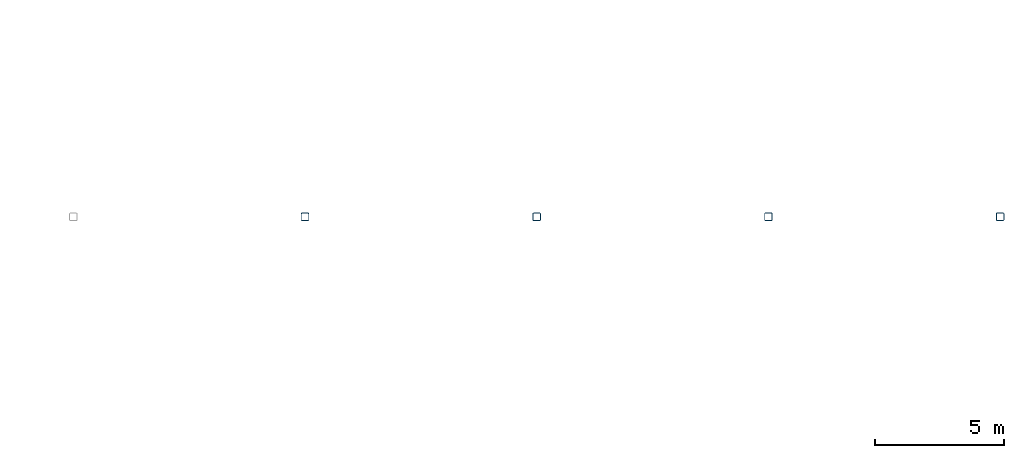
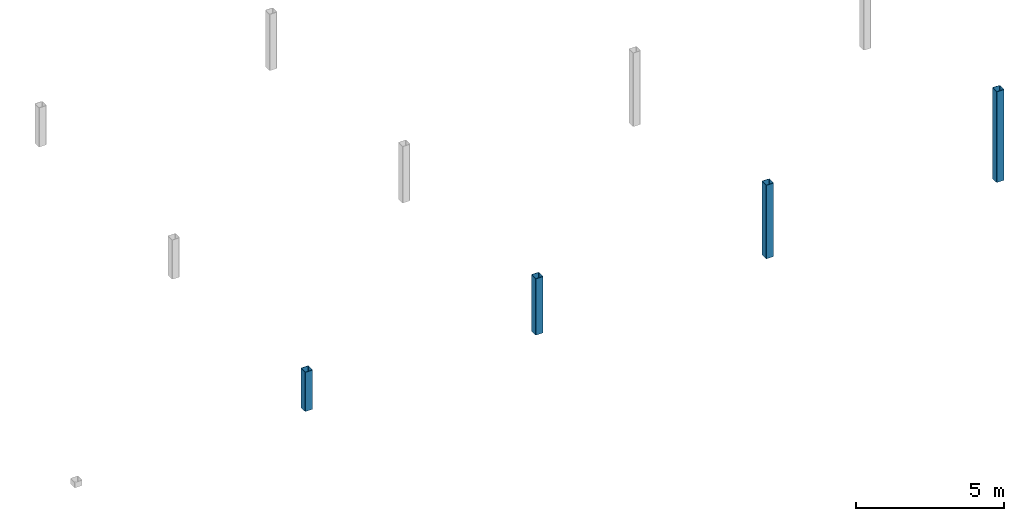
# One storey, part 3 of 15: 4 columns.
"""IFC4 building model written with IfcOpenShell, lengths in metres."""

from ifc_helpers import new_model, si_unit, direction, frame, origin, origin_2d, place, context, subcontext, project, spatial, hollow_rectangle, extrude, material, material_profile, profile_set, type_object, element, save


model = new_model("IFC4")

# Units and contexts
model_context = context("Model", 3, precision=1e-05, world=origin(), true_north=direction((0.0, 1.0)))
body_context = subcontext(model_context, "Body", "Model", "MODEL_VIEW")
ifc_project = project(units=[si_unit("LENGTHUNIT", "METRE"), si_unit("AREAUNIT", "SQUARE_METRE"), si_unit("VOLUMEUNIT", "CUBIC_METRE"), si_unit("PLANEANGLEUNIT", "RADIAN"), si_unit("MASSUNIT", "GRAM", prefix="KILO")], contexts=[model_context])

# Site, building, storey
site_placement = place(None, origin())
site = spatial("IfcSite", under=ifc_project, at=site_placement, CompositionType="ELEMENT")
building_placement = place(site_placement, origin())
building = spatial("IfcBuilding", under=site, at=building_placement, Name="Opaline Strait Convention Centre", CompositionType="ELEMENT")
storey_placement = place(building_placement, frame((0.0, 0.0, 20.10009765625)))
storey = spatial("IfcBuildingStorey", under=building, at=storey_placement, Name="Roof Restaurants and Business Centre", CompositionType="ELEMENT", Elevation=20.10009765625)

# Columns
ifc_material = material(Name="Steel Q355B", Category="steel")
ifc_material_profile = material_profile(ifc_material, hollow_rectangle(XDim=0.300048828125, YDim=0.300048828125, WallThickness=0.011962890625, InnerFilletRadius=0.02392578125, OuterFilletRadius=0.035888671875, at=origin_2d()), Name="RHS 300x300x12")
ifc_profile_set = profile_set([ifc_material_profile], Name="Steel Q355B")
column_type = type_object("IfcColumnType", Name="Roof post RHS 300x300x12", PredefinedType="COLUMN", material=ifc_profile_set)
column_1_placement = place(storey_placement, frame((333.0, 90.0, 0.0), z_axis=(0.0, 0.0, 1.0), x_axis=(1.0, 0.0, 0.0)))
element("IfcColumn", 1, at=column_1_placement, inside=storey, type_object=column_type, Name="MRS1 roof post at 38/L above Roof Restaurants and Business Centre", PredefinedType="COLUMN", context=body_context, shape_type="SweptSolid", body=[
    extrude(hollow_rectangle(XDim=0.300048828125, YDim=0.300048828125, WallThickness=0.011962890625, InnerFilletRadius=0.02392578125, OuterFilletRadius=0.035888671875, at=origin_2d()), origin(), (0.0, 0.0, 1.0), 1.6201171875),
])
column_2_placement = place(storey_placement, frame((342.0, 90.0, 0.0), z_axis=(0.0, 0.0, 1.0), x_axis=(1.0, 0.0, 0.0)))
element("IfcColumn", 2, at=column_2_placement, inside=storey, type_object=column_type, Name="MRS1 roof post at 39/L above Roof Restaurants and Business Centre", PredefinedType="COLUMN", context=body_context, shape_type="SweptSolid", body=[
    extrude(hollow_rectangle(XDim=0.300048828125, YDim=0.300048828125, WallThickness=0.011962890625, InnerFilletRadius=0.02392578125, OuterFilletRadius=0.035888671875, at=origin_2d()), origin(), (0.0, 0.0, 1.0), 2.32861328125),
])
column_3_placement = place(storey_placement, frame((351.0, 90.0, 0.0), z_axis=(0.0, 0.0, 1.0), x_axis=(1.0, 0.0, 0.0)))
element("IfcColumn", 3, at=column_3_placement, inside=storey, type_object=column_type, Name="MRS1 roof post at 40/L above Roof Restaurants and Business Centre", PredefinedType="COLUMN", context=body_context, shape_type="SweptSolid", body=[
    extrude(hollow_rectangle(XDim=0.300048828125, YDim=0.300048828125, WallThickness=0.011962890625, InnerFilletRadius=0.02392578125, OuterFilletRadius=0.035888671875, at=origin_2d()), origin(), (0.0, 0.0, 1.0), 3.036865234375),
])
column_4_placement = place(storey_placement, frame((360.0, 90.0, 0.0), z_axis=(0.0, 0.0, 1.0), x_axis=(1.0, 0.0, 0.0)))
element("IfcColumn", 4, at=column_4_placement, inside=storey, type_object=column_type, Name="MRS1 roof post at 41/L above Roof Restaurants and Business Centre", PredefinedType="COLUMN", context=body_context, shape_type="SweptSolid", body=[
    extrude(hollow_rectangle(XDim=0.300048828125, YDim=0.300048828125, WallThickness=0.011962890625, InnerFilletRadius=0.02392578125, OuterFilletRadius=0.035888671875, at=origin_2d()), origin(), (0.0, 0.0, 1.0), 3.7451171875),
])

save(model, "model.ifc")
